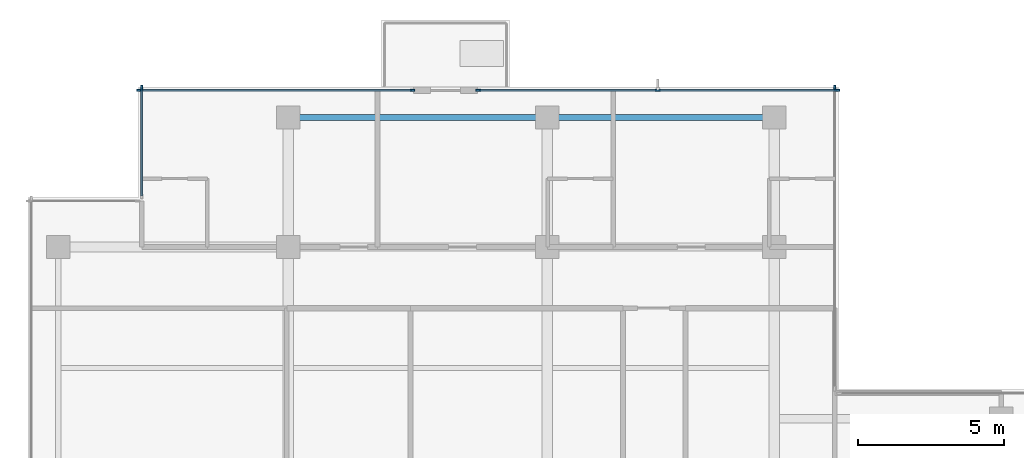
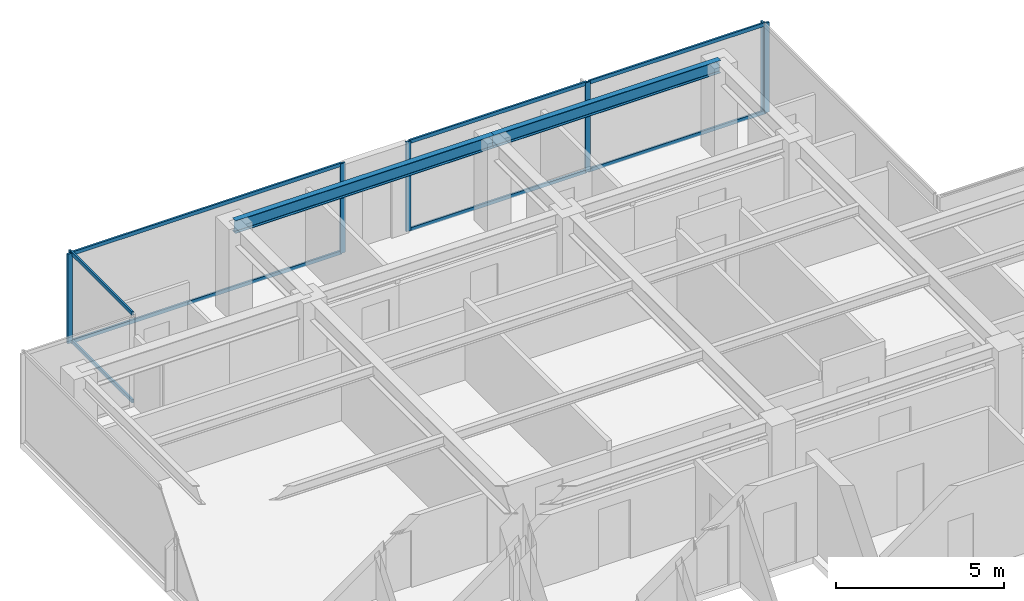
# One storey, part 4 of 11: 15 members, 2 beams, 4 elements without a shape of their own.
"""IFC4 building model written with IfcOpenShell, lengths in metres."""

from ifc_helpers import new_model, si_unit, direction, frame, origin, origin_2d, place, context, subcontext, project, spatial, rectangle, i_section, extrude, material, layer, layer_set, material_profile, profile_set, type_object, element, aggregate, save


model = new_model("IFC4")

# Units and contexts
model_context = context("Model", 3, precision=1e-05, world=origin(), true_north=direction((0.0, 1.0)))
body_context = subcontext(model_context, "Body", "Model", "MODEL_VIEW")
ifc_project = project(units=[si_unit("LENGTHUNIT", "METRE"), si_unit("AREAUNIT", "SQUARE_METRE"), si_unit("VOLUMEUNIT", "CUBIC_METRE"), si_unit("PLANEANGLEUNIT", "RADIAN"), si_unit("MASSUNIT", "GRAM", prefix="KILO")], contexts=[model_context])

# Site, building, storey
site_placement = place(None, origin())
site = spatial("IfcSite", under=ifc_project, at=site_placement, CompositionType="ELEMENT")
building_placement = place(site_placement, origin())
building = spatial("IfcBuilding", under=site, at=building_placement, Name="Qalmaran Belvedere Hotel", CompositionType="ELEMENT")
storey_placement = place(building_placement, frame((0.0, 0.0, 245.89990234375)))
storey = spatial("IfcBuildingStorey", under=building, at=storey_placement, Name="L63", CompositionType="ELEMENT", Elevation=245.89990234375)

# Beams
ifc_material_1 = material(Name="Steel S355JR", Category="steel")
ifc_material_profile_1 = material_profile(ifc_material_1, i_section(OverallWidth=0.19189453125, OverallDepth=0.462890625, WebThickness=0.010498046875, FlangeThickness=0.017578125, FilletRadius=0.01611328125, at=origin_2d()), Name="W460X89")
ifc_profile_set_1 = profile_set([ifc_material_profile_1], Name="Steel S355JR")
beam_type = type_object("IfcBeamType", Name="BM-SP2-W460X89", PredefinedType="SPANDREL", material=ifc_profile_set_1)
beam_1_placement = place(storey_placement, frame((20.300048828125, 37.449951171875, 3.028564453125), z_axis=(1.0, 0.0, 0.0), x_axis=(0.0, 1.0, 0.0)))
element("IfcBeam", 1, at=beam_1_placement, inside=storey, type_object=beam_type, Name="L63 Perimeter Spandrel 04", PredefinedType="SPANDREL", context=body_context, shape_type="SweptSolid", body=[
    extrude(i_section(OverallWidth=0.19189453125, OverallDepth=0.462890625, WebThickness=0.010498046875, FlangeThickness=0.017578125, FilletRadius=0.01611328125, at=origin_2d()), origin(), (0.0, 0.0, 1.0), 8.89990234375),
])
beam_2_placement = place(storey_placement, frame((29.199951171875, 37.449951171875, 3.028564453125), z_axis=(1.0, 0.0, 0.0), x_axis=(0.0, 1.0, 0.0)))
element("IfcBeam", 2, at=beam_2_placement, inside=storey, type_object=beam_type, Name="L63 Perimeter Spandrel 05", PredefinedType="SPANDREL", context=body_context, shape_type="SweptSolid", body=[
    extrude(i_section(OverallWidth=0.19189453125, OverallDepth=0.462890625, WebThickness=0.010498046875, FlangeThickness=0.017578125, FilletRadius=0.01611328125, at=origin_2d()), origin(), (0.0, 0.0, 1.0), 7.800048828125),
])

# Curtain wall, member
ifc_material_2 = material(Name="Anodised Bronze Aluminium", Category="aluminium")
ifc_layer = layer(ifc_material_2, 0.18505859375, Name="Anodised Bronze Aluminium")
ifc_layer_set = layer_set([ifc_layer], Name="Anodised Bronze Aluminium")
curtain_wall_type = type_object("IfcCurtainWallType", Name="CW6-TOWER-SKY", PredefinedType="NOTDEFINED", material=ifc_layer_set)
curtain_wall_1_placement = place(storey_placement, origin())
curtain_wall_1 = element("IfcCurtainWall", 3, at=curtain_wall_1_placement, inside=storey, type_object=curtain_wall_type, Name="L63 Curtain Wall CW6", PredefinedType="NOTDEFINED")
ifc_material_profile_2 = material_profile(ifc_material_2, rectangle(XDim=0.06494140625, YDim=0.1650390625, at=origin_2d()), Name="CWM65X165")
ifc_profile_set_2 = profile_set([ifc_material_profile_2], Name="Anodised Bronze Aluminium")
member_type_1 = type_object("IfcMemberType", Name="CWM-65X165", PredefinedType="MULLION", material=ifc_profile_set_2)
member_1_placement = place(storey_placement, frame((39.080078125, 38.467529296875, 0.0), z_axis=(0.0, 0.0, 1.0), x_axis=(-1.0, 0.0, 0.0)))
member_1 = element("IfcMember", 4, at=member_1_placement, type_object=member_type_1, Name="CW6 mullion 2", PredefinedType="MULLION", context=body_context, shape_type="SweptSolid", body=[
    extrude(rectangle(XDim=0.06494140625, YDim=0.1650390625, at=origin_2d()), origin(), (0.0, 0.0, 1.0), 3.260009765625),
])
aggregate(curtain_wall_1, [member_1])

# Curtain wall, members
curtain_wall_2_placement = place(storey_placement, origin())
curtain_wall_2 = element("IfcCurtainWall", 5, at=curtain_wall_2_placement, inside=storey, type_object=curtain_wall_type, Name="L63 Curtain Wall CW6", PredefinedType="NOTDEFINED")
member_2_placement = place(storey_placement, frame((24.5673828125, 38.3798828125, 0.0), z_axis=(0.0, 0.0, 1.0), x_axis=(0.0, -1.0, 0.0)))
member_2 = element("IfcMember", 6, at=member_2_placement, type_object=member_type_1, Name="CW6 mullion 1", PredefinedType="MULLION", context=body_context, shape_type="SweptSolid", body=[
    extrude(rectangle(XDim=0.06494140625, YDim=0.1650390625, at=origin_2d()), origin(), (0.0, 0.0, 1.0), 3.260009765625),
])
member_3_placement = place(storey_placement, frame((15.1826171875, 38.3798828125, 0.0), z_axis=(0.0, 0.0, 1.0), x_axis=(0.0, -1.0, 0.0)))
member_3 = element("IfcMember", 7, at=member_3_placement, type_object=member_type_1, Name="CW6 mullion 2", PredefinedType="MULLION", context=body_context, shape_type="SweptSolid", body=[
    extrude(rectangle(XDim=0.06494140625, YDim=0.1650390625, at=origin_2d()), origin(), (0.0, 0.0, 1.0), 3.260009765625),
])

curtain_wall_3_placement = place(storey_placement, origin())
curtain_wall_3 = element("IfcCurtainWall", 8, at=curtain_wall_3_placement, inside=storey, type_object=curtain_wall_type, Name="L63 Curtain Wall CW6", PredefinedType="NOTDEFINED")
member_4_placement = place(storey_placement, frame((39.16748046875, 38.3798828125, 0.0), z_axis=(0.0, 0.0, 1.0), x_axis=(0.0, -1.0, 0.0)))
member_4 = element("IfcMember", 9, at=member_4_placement, type_object=member_type_1, Name="CW6 mullion 1", PredefinedType="MULLION", context=body_context, shape_type="SweptSolid", body=[
    extrude(rectangle(XDim=0.06494140625, YDim=0.1650390625, at=origin_2d()), origin(), (0.0, 0.0, 1.0), 3.260009765625),
])
member_5_placement = place(storey_placement, frame((33.0, 38.3798828125, 0.0), z_axis=(0.0, 0.0, 1.0), x_axis=(0.0, -1.0, 0.0)))
member_5 = element("IfcMember", 10, at=member_5_placement, type_object=member_type_1, Name="CW6 mullion 2", PredefinedType="MULLION", context=body_context, shape_type="SweptSolid", body=[
    extrude(rectangle(XDim=0.06494140625, YDim=0.1650390625, at=origin_2d()), origin(), (0.0, 0.0, 1.0), 3.260009765625),
])
member_6_placement = place(storey_placement, frame((26.83251953125, 38.3798828125, 0.0), z_axis=(0.0, 0.0, 1.0), x_axis=(0.0, -1.0, 0.0)))
member_6 = element("IfcMember", 11, at=member_6_placement, type_object=member_type_1, Name="CW6 mullion 3", PredefinedType="MULLION", context=body_context, shape_type="SweptSolid", body=[
    extrude(rectangle(XDim=0.06494140625, YDim=0.1650390625, at=origin_2d()), origin(), (0.0, 0.0, 1.0), 3.260009765625),
])

# Curtain wall, member
curtain_wall_4_placement = place(storey_placement, origin())
curtain_wall_4 = element("IfcCurtainWall", 12, at=curtain_wall_4_placement, inside=storey, type_object=curtain_wall_type, Name="L63 Curtain Wall CW6", PredefinedType="NOTDEFINED")
member_7_placement = place(storey_placement, frame((15.27001953125, 38.467529296875, 0.0), z_axis=(0.0, 0.0, 1.0), x_axis=(1.0, 0.0, 0.0)))
member_7 = element("IfcMember", 13, at=member_7_placement, type_object=member_type_1, Name="CW6 mullion 1", PredefinedType="MULLION", context=body_context, shape_type="SweptSolid", body=[
    extrude(rectangle(XDim=0.06494140625, YDim=0.1650390625, at=origin_2d()), origin(), (0.0, 0.0, 1.0), 3.260009765625),
])

# Member
ifc_material_profile_3 = material_profile(ifc_material_2, rectangle(XDim=0.06494140625, YDim=0.1298828125, at=origin_2d()), Name="CWT65X130")
ifc_profile_set_3 = profile_set([ifc_material_profile_3], Name="Anodised Bronze Aluminium")
member_type_2 = type_object("IfcMemberType", Name="CWT-65X130", PredefinedType="USERDEFINED", material=ifc_profile_set_3)
member_8_placement = place(storey_placement, frame((24.534912109375, 38.3798828125, 0.03271484375), z_axis=(-1.0, 0.0, 0.0), x_axis=(0.0, -1.0, 0.0)))
member_8 = element("IfcMember", 14, at=member_8_placement, type_object=member_type_2, Name="CW6 transom 1.1", ObjectType="TRANSOM", PredefinedType="USERDEFINED", context=body_context, shape_type="SweptSolid", body=[
    extrude(rectangle(XDim=0.06494140625, YDim=0.1298828125, at=origin_2d()), origin(), (0.0, 0.0, 1.0), 9.31982421875),
])

member_9_placement = place(storey_placement, frame((24.534912109375, 38.3798828125, 3.2275390625), z_axis=(-1.0, 0.0, 0.0), x_axis=(0.0, -1.0, 0.0)))
member_9 = element("IfcMember", 15, at=member_9_placement, type_object=member_type_2, Name="CW6 transom 1.2", ObjectType="TRANSOM", PredefinedType="USERDEFINED", context=body_context, shape_type="SweptSolid", body=[
    extrude(rectangle(XDim=0.06494140625, YDim=0.1298828125, at=origin_2d()), origin(), (0.0, 0.0, 1.0), 9.31982421875),
])

aggregate(curtain_wall_2, [member_2, member_3, member_8, member_9])

member_10_placement = place(storey_placement, frame((39.135009765625, 38.3798828125, 0.03271484375), z_axis=(-1.0, 0.0, 0.0), x_axis=(0.0, -1.0, 0.0)))
member_10 = element("IfcMember", 16, at=member_10_placement, type_object=member_type_2, Name="CW6 transom 1.1", ObjectType="TRANSOM", PredefinedType="USERDEFINED", context=body_context, shape_type="SweptSolid", body=[
    extrude(rectangle(XDim=0.06494140625, YDim=0.1298828125, at=origin_2d()), origin(), (0.0, 0.0, 1.0), 6.1025390625),
])

member_11_placement = place(storey_placement, frame((39.135009765625, 38.3798828125, 3.2275390625), z_axis=(-1.0, 0.0, 0.0), x_axis=(0.0, -1.0, 0.0)))
member_11 = element("IfcMember", 17, at=member_11_placement, type_object=member_type_2, Name="CW6 transom 1.2", ObjectType="TRANSOM", PredefinedType="USERDEFINED", context=body_context, shape_type="SweptSolid", body=[
    extrude(rectangle(XDim=0.06494140625, YDim=0.1298828125, at=origin_2d()), origin(), (0.0, 0.0, 1.0), 6.1025390625),
])

member_12_placement = place(storey_placement, frame((32.967529296875, 38.3798828125, 0.03271484375), z_axis=(-1.0, 0.0, 0.0), x_axis=(0.0, -1.0, 0.0)))
member_12 = element("IfcMember", 18, at=member_12_placement, type_object=member_type_2, Name="CW6 transom 2.1", ObjectType="TRANSOM", PredefinedType="USERDEFINED", context=body_context, shape_type="SweptSolid", body=[
    extrude(rectangle(XDim=0.06494140625, YDim=0.1298828125, at=origin_2d()), origin(), (0.0, 0.0, 1.0), 6.1025390625),
])

member_13_placement = place(storey_placement, frame((32.967529296875, 38.3798828125, 3.2275390625), z_axis=(-1.0, 0.0, 0.0), x_axis=(0.0, -1.0, 0.0)))
member_13 = element("IfcMember", 19, at=member_13_placement, type_object=member_type_2, Name="CW6 transom 2.2", ObjectType="TRANSOM", PredefinedType="USERDEFINED", context=body_context, shape_type="SweptSolid", body=[
    extrude(rectangle(XDim=0.06494140625, YDim=0.1298828125, at=origin_2d()), origin(), (0.0, 0.0, 1.0), 6.1025390625),
])

aggregate(curtain_wall_3, [member_4, member_5, member_6, member_10, member_11, member_12, member_13])

member_14_placement = place(storey_placement, frame((15.27001953125, 38.43505859375, 0.03271484375), z_axis=(0.0, -1.0, 0.0), x_axis=(1.0, 0.0, 0.0)))
member_14 = element("IfcMember", 20, at=member_14_placement, type_object=member_type_2, Name="CW6 transom 1.1", ObjectType="TRANSOM", PredefinedType="USERDEFINED", context=body_context, shape_type="SweptSolid", body=[
    extrude(rectangle(XDim=0.06494140625, YDim=0.1298828125, at=origin_2d()), origin(), (0.0, 0.0, 1.0), 3.670166015625),
])

member_15_placement = place(storey_placement, frame((15.27001953125, 38.43505859375, 3.2275390625), z_axis=(0.0, -1.0, 0.0), x_axis=(1.0, 0.0, 0.0)))
member_15 = element("IfcMember", 21, at=member_15_placement, type_object=member_type_2, Name="CW6 transom 1.2", ObjectType="TRANSOM", PredefinedType="USERDEFINED", context=body_context, shape_type="SweptSolid", body=[
    extrude(rectangle(XDim=0.06494140625, YDim=0.1298828125, at=origin_2d()), origin(), (0.0, 0.0, 1.0), 3.670166015625),
])

aggregate(curtain_wall_4, [member_7, member_14, member_15])

save(model, "model.ifc")
